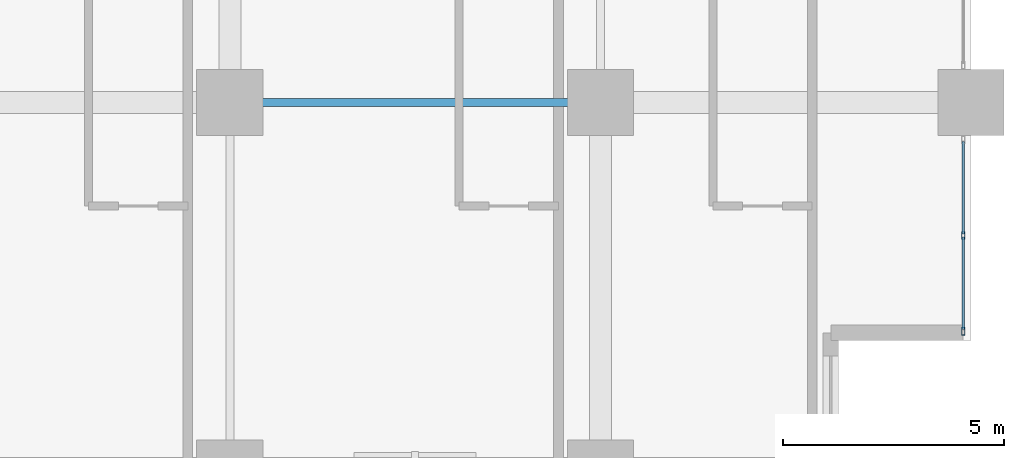
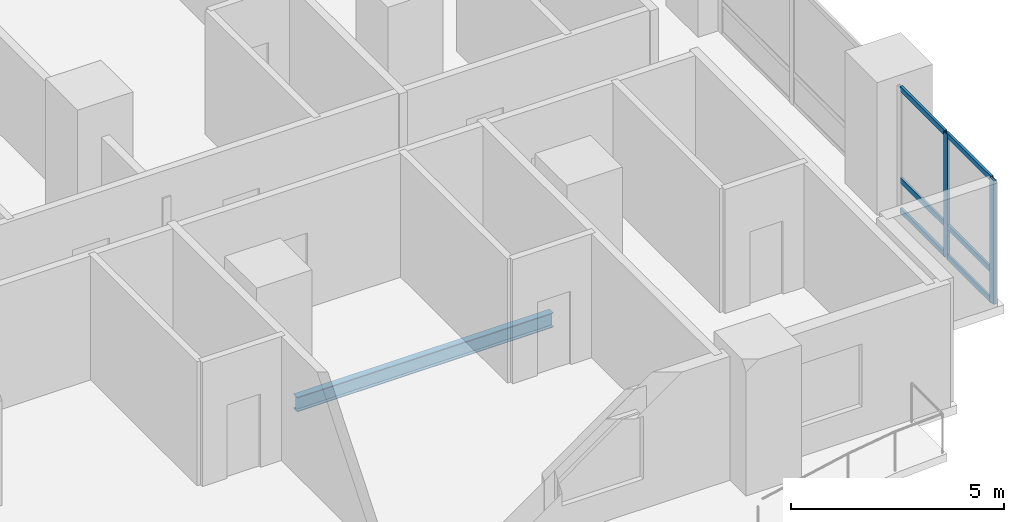
# One storey, part 3 of 26: 8 members, 1 beam, 1 element without a shape of its own.
"""IFC4 building model written with IfcOpenShell, lengths in metres."""

from ifc_helpers import new_model, si_unit, direction, frame, origin, origin_2d, place, context, subcontext, project, spatial, hollow_rectangle, i_section, extrude, material, layer, layer_set, material_profile, profile_set, type_object, element, aggregate, save


model = new_model("IFC4")

# Units and contexts
model_context = context("Model", 3, precision=1e-05, world=origin(), true_north=direction((0.0, 1.0)))
body_context = subcontext(model_context, "Body", "Model", "MODEL_VIEW")
ifc_project = project(units=[si_unit("LENGTHUNIT", "METRE"), si_unit("AREAUNIT", "SQUARE_METRE"), si_unit("VOLUMEUNIT", "CUBIC_METRE"), si_unit("PLANEANGLEUNIT", "RADIAN"), si_unit("MASSUNIT", "GRAM", prefix="KILO")], contexts=[model_context])

# Site, building, storey
site_placement = place(None, origin())
site = spatial("IfcSite", under=ifc_project, at=site_placement, CompositionType="ELEMENT")
building_placement = place(site_placement, origin())
building = spatial("IfcBuilding", under=site, at=building_placement, Name="Koriwani Terraces Tower", CompositionType="ELEMENT")
storey_placement = place(building_placement, frame((0.0, 0.0, 39.60009765625)))
storey = spatial("IfcBuildingStorey", under=building, at=storey_placement, Name="L08", CompositionType="ELEMENT", Elevation=39.60009765625)

# Curtain wall, members
ifc_material_1 = material(Name="Anodised Bronze Aluminium", Category="aluminium")
ifc_layer = layer(ifc_material_1, 0.179931640625, Name="Anodised Bronze Aluminium")
ifc_layer_set = layer_set([ifc_layer], Name="Anodised Bronze Aluminium")
curtain_wall_type = type_object("IfcCurtainWallType", Name="CW_HOTEL_ZONE1", PredefinedType="NOTDEFINED", material=ifc_layer_set)
curtain_wall_placement = place(storey_placement, origin())
curtain_wall = element("IfcCurtainWall", 1, at=curtain_wall_placement, inside=storey, type_object=curtain_wall_type, Name="L08 Unitised Curtain Wall (E_TIP) Bay 4", PredefinedType="NOTDEFINED")
ifc_material_profile_1 = material_profile(ifc_material_1, hollow_rectangle(XDim=0.074951171875, YDim=0.179931640625, WallThickness=0.006103515625, at=origin_2d()), Name="Anodised Bronze Aluminium", Category="LoadBearing")
ifc_profile_set_1 = profile_set([ifc_material_profile_1], Name="Anodised Bronze Aluminium")
member_type_1 = type_object("IfcMemberType", Name="CW_MULLION_180X75", PredefinedType="MULLION", material=ifc_profile_set_1)
member_1_placement = place(storey_placement, frame((92.22509765625, 5.382568359375, 0.0), z_axis=(0.0, 0.0, 1.0), x_axis=(1.0, 0.0, 0.0)))
member_1 = element("IfcMember", 2, at=member_1_placement, type_object=member_type_1, Name="CW-Z1 mullion 2", PredefinedType="MULLION", context=body_context, shape_type="SweptSolid", body=[
    extrude(hollow_rectangle(XDim=0.074951171875, YDim=0.179931640625, WallThickness=0.006103515625, at=origin_2d()), origin(), (0.0, 0.0, 1.0), 3.5498046875),
])
member_2_placement = place(storey_placement, frame((92.22509765625, 3.21240234375, 0.0), z_axis=(0.0, 0.0, 1.0), x_axis=(1.0, 0.0, 0.0)))
member_2 = element("IfcMember", 3, at=member_2_placement, type_object=member_type_1, Name="CW-Z1 mullion 3", PredefinedType="MULLION", context=body_context, shape_type="SweptSolid", body=[
    extrude(hollow_rectangle(XDim=0.074951171875, YDim=0.179931640625, WallThickness=0.006103515625, at=origin_2d()), origin(), (0.0, 0.0, 1.0), 3.5498046875),
])
ifc_material_profile_2 = material_profile(ifc_material_1, hollow_rectangle(XDim=0.06494140625, YDim=0.14990234375, WallThickness=0.0048828125, at=origin_2d()), Name="Anodised Bronze Aluminium", Category="LoadBearing")
ifc_profile_set_2 = profile_set([ifc_material_profile_2], Name="Anodised Bronze Aluminium")
member_type_2 = type_object("IfcMemberType", Name="CW_TRANSOM_150X65", PredefinedType="USERDEFINED", material=ifc_profile_set_2)
member_3_placement = place(storey_placement, frame((92.22509765625, 7.514892578125, 0.032470703125), z_axis=(0.0, -1.0, 0.0), x_axis=(1.0, 0.0, 0.0)))
member_3 = element("IfcMember", 4, at=member_3_placement, type_object=member_type_2, Name="CW-Z1 transom 1.1", ObjectType="TRANSOM", PredefinedType="USERDEFINED", context=body_context, shape_type="SweptSolid", body=[
    extrude(hollow_rectangle(XDim=0.06494140625, YDim=0.14990234375, WallThickness=0.0048828125, at=origin_2d()), origin(), (0.0, 0.0, 1.0), 2.094970703125),
])
member_4_placement = place(storey_placement, frame((92.22509765625, 7.514892578125, 0.89990234375), z_axis=(0.0, -1.0, 0.0), x_axis=(1.0, 0.0, 0.0)))
member_4 = element("IfcMember", 5, at=member_4_placement, type_object=member_type_2, Name="CW-Z1 transom 1.2", ObjectType="TRANSOM", PredefinedType="USERDEFINED", context=body_context, shape_type="SweptSolid", body=[
    extrude(hollow_rectangle(XDim=0.06494140625, YDim=0.14990234375, WallThickness=0.0048828125, at=origin_2d()), origin(), (0.0, 0.0, 1.0), 2.094970703125),
])
member_5_placement = place(storey_placement, frame((92.22509765625, 7.514892578125, 3.517333984375), z_axis=(0.0, -1.0, 0.0), x_axis=(1.0, 0.0, 0.0)))
member_5 = element("IfcMember", 6, at=member_5_placement, type_object=member_type_2, Name="CW-Z1 transom 1.3", ObjectType="TRANSOM", PredefinedType="USERDEFINED", context=body_context, shape_type="SweptSolid", body=[
    extrude(hollow_rectangle(XDim=0.06494140625, YDim=0.14990234375, WallThickness=0.0048828125, at=origin_2d()), origin(), (0.0, 0.0, 1.0), 2.094970703125),
])
member_6_placement = place(storey_placement, frame((92.22509765625, 5.344970703125, 0.032470703125), z_axis=(0.0, -1.0, 0.0), x_axis=(1.0, 0.0, 0.0)))
member_6 = element("IfcMember", 7, at=member_6_placement, type_object=member_type_2, Name="CW-Z1 transom 2.1", ObjectType="TRANSOM", PredefinedType="USERDEFINED", context=body_context, shape_type="SweptSolid", body=[
    extrude(hollow_rectangle(XDim=0.06494140625, YDim=0.14990234375, WallThickness=0.0048828125, at=origin_2d()), origin(), (0.0, 0.0, 1.0), 2.094970703125),
])
member_7_placement = place(storey_placement, frame((92.22509765625, 5.344970703125, 0.89990234375), z_axis=(0.0, -1.0, 0.0), x_axis=(1.0, 0.0, 0.0)))
member_7 = element("IfcMember", 8, at=member_7_placement, type_object=member_type_2, Name="CW-Z1 transom 2.2", ObjectType="TRANSOM", PredefinedType="USERDEFINED", context=body_context, shape_type="SweptSolid", body=[
    extrude(hollow_rectangle(XDim=0.06494140625, YDim=0.14990234375, WallThickness=0.0048828125, at=origin_2d()), origin(), (0.0, 0.0, 1.0), 2.094970703125),
])
member_8_placement = place(storey_placement, frame((92.22509765625, 5.344970703125, 3.517333984375), z_axis=(0.0, -1.0, 0.0), x_axis=(1.0, 0.0, 0.0)))
member_8 = element("IfcMember", 9, at=member_8_placement, type_object=member_type_2, Name="CW-Z1 transom 2.3", ObjectType="TRANSOM", PredefinedType="USERDEFINED", context=body_context, shape_type="SweptSolid", body=[
    extrude(hollow_rectangle(XDim=0.06494140625, YDim=0.14990234375, WallThickness=0.0048828125, at=origin_2d()), origin(), (0.0, 0.0, 1.0), 2.094970703125),
])
aggregate(curtain_wall, [member_1, member_2, member_3, member_4, member_5, member_6, member_7, member_8])

# Beam
ifc_material_2 = material(Name="Steel ASTM A572 Grade 50", Category="steel")
ifc_material_profile_3 = material_profile(ifc_material_2, i_section(OverallWidth=0.180908203125, OverallDepth=0.4169921875, WebThickness=0.010986328125, FlangeThickness=0.018310546875, at=origin_2d()), Name="Steel ASTM A572 Grade 50", Category="LoadBearing")
ifc_profile_set_3 = profile_set([ifc_material_profile_3], Name="Steel ASTM A572 Grade 50")
beam_type = type_object("IfcBeamType", Name="STEEL_BEAM_W410X85", PredefinedType="JOIST", material=ifc_profile_set_3)
beam_placement = place(storey_placement, frame((76.330078125, 8.39990234375, -0.45849609375), z_axis=(1.0, 0.0, 0.0), x_axis=(0.0, 1.0, 0.0)))
element("IfcBeam", 10, at=beam_placement, inside=storey, type_object=beam_type, Name="L08 Grid Beam B (75.6-84.0m)", PredefinedType="JOIST", context=body_context, shape_type="SweptSolid", body=[
    extrude(i_section(OverallWidth=0.180908203125, OverallDepth=0.4169921875, WebThickness=0.010986328125, FlangeThickness=0.018310546875, at=origin_2d()), origin(), (0.0, 0.0, 1.0), 6.93994140625),
])

save(model, "model.ifc")
